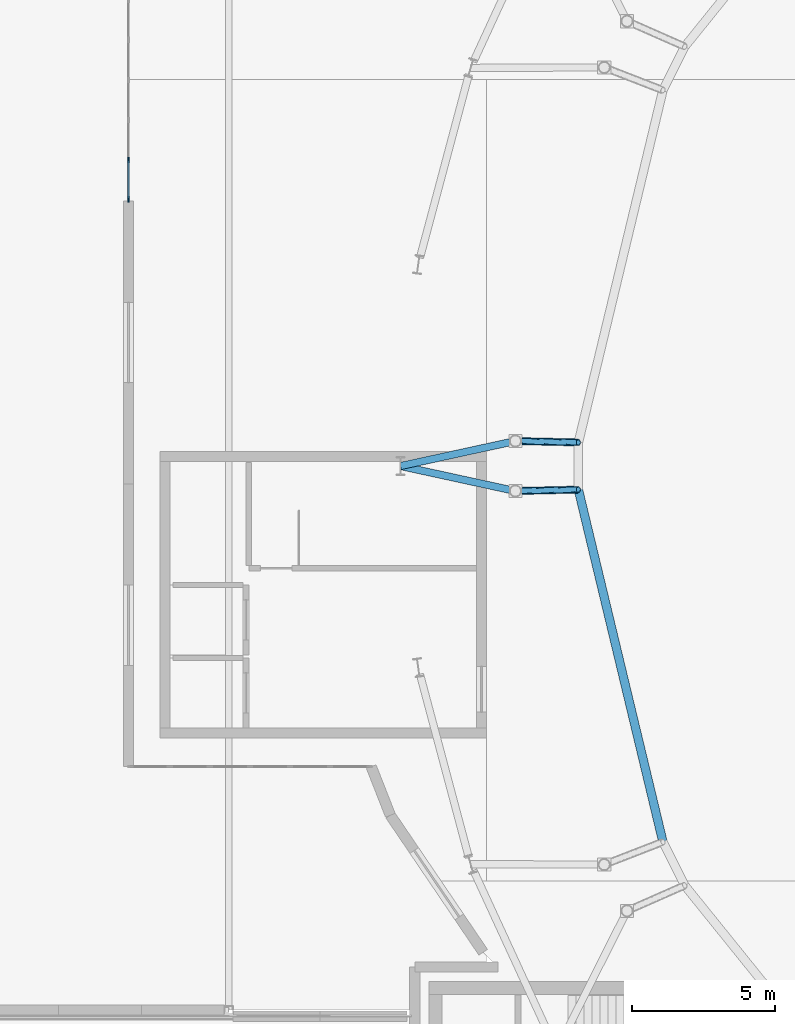
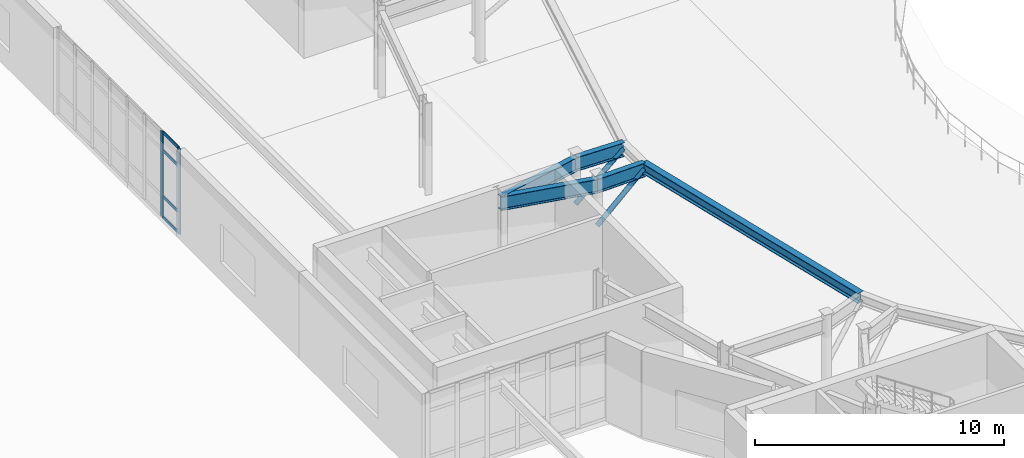
# One storey, part 16 of 48: 8 members, 5 beams, 1 element without a shape of its own.
"""IFC4 building model written with IfcOpenShell, lengths in metres."""

import ifcopenshell
import ifcopenshell.guid

model = None  # the IFC model being written
_history = None  # IfcOwnerHistory: only IFC2X3 demands one
_inside = {}  # id of a spatial element -> (the spatial element, [elements in it])
_under = {}  # id of a project, library or spatial element -> (it, [spatial elements below it])
_declared = {}  # id of a project -> (the project, [libraries it declares])
_typed = {}  # id of a type object -> (the type object, [elements of that type])
_made_of = {}  # id of a material, layer set ... -> (it, [elements and type objects made of it])


def new_model(schema):
    """Start an empty IFC model of exactly this schema.

    Asked for "IFC4X3", IfcOpenShell would pick the latest addendum, in which some entities
    have other attributes; the version numbers below select the first issue.
    IFC2X3 requires an IfcOwnerHistory on every rooted entity: one is made here for all.
    """
    global model, _history
    if schema == "IFC4X3":
        model = ifcopenshell.file(schema_version=(4, 3, 0, 0))
    else:
        model = ifcopenshell.file(schema=schema)
    _inside.clear()
    _under.clear()
    _declared.clear()
    _typed.clear()
    _made_of.clear()
    _history = None
    if model.schema == "IFC2X3":
        org = make("IfcOrganization", Name="unknown")
        user = make(
            "IfcPersonAndOrganization",
            ThePerson=make("IfcPerson", FamilyName="unknown"),
            TheOrganization=org,
        )
        app = make(
            "IfcApplication",
            ApplicationDeveloper=org,
            Version="unknown",
            ApplicationFullName="unknown",
            ApplicationIdentifier="unknown",
        )
        _history = make(
            "IfcOwnerHistory",
            OwningUser=user,
            OwningApplication=app,
            ChangeAction="ADDED",
            CreationDate=0,
        )
    return model


def make(cls, **values):
    """One entity of the class cls with the attributes given. An attribute that is None is left unset."""
    return model.create_entity(
        cls, **{name: value for name, value in values.items() if value is not None}
    )


def rooted(cls, **values):
    """An entity with a GlobalId (a new one), such as an element, a storey or a relation."""
    return make(cls, GlobalId=ifcopenshell.guid.new(), OwnerHistory=_history, **values)


def si_unit(unit_type, name, prefix=None):
    """IfcSIUnit, for example si_unit("LENGTHUNIT", "METRE", prefix="MILLI")."""
    return make("IfcSIUnit", UnitType=unit_type, Prefix=prefix, Name=name)


def assignment(units):
    """IfcUnitAssignment: the units of a project."""
    return None if units is None else make("IfcUnitAssignment", Units=units)


def point(xyz):
    """IfcCartesianPoint."""
    return None if xyz is None else make("IfcCartesianPoint", Coordinates=xyz)


def direction(xyz):
    """IfcDirection."""
    return None if xyz is None else make("IfcDirection", DirectionRatios=xyz)


def frame(location, z_axis=None, x_axis=None):
    """IfcAxis2Placement3D, a coordinate frame: its origin and axes. An axis left out is left unset."""
    return make(
        "IfcAxis2Placement3D",
        Location=point(location),
        Axis=direction(z_axis),
        RefDirection=direction(x_axis),
    )


def frame_2d(location, x_axis=None):
    """IfcAxis2Placement2D, a coordinate frame in the plane: its origin and x axis."""
    return make(
        "IfcAxis2Placement2D", Location=point(location), RefDirection=direction(x_axis)
    )


def origin():
    """The frame at (0, 0, 0) with its axes left unset."""
    return frame((0.0, 0.0, 0.0))


def origin_2d():
    """The frame at (0, 0) in the plane with its x axis left unset."""
    return frame_2d((0.0, 0.0))


def place(relative_to, where):
    """IfcLocalPlacement: puts the frame where relative to a parent placement (None: the world)."""
    return make(
        "IfcLocalPlacement", PlacementRelTo=relative_to, RelativePlacement=where
    )


def context(
    kind, dimensions, precision=None, world=None, true_north=None, identifier=None
):
    """IfcGeometricRepresentationContext, for example the 3D "Model" context."""
    return make(
        "IfcGeometricRepresentationContext",
        ContextIdentifier=identifier,
        ContextType=kind,
        CoordinateSpaceDimension=dimensions,
        Precision=precision,
        WorldCoordinateSystem=world,
        TrueNorth=true_north,
    )


def subcontext(parent, identifier, kind, view, scale=None):
    """IfcGeometricRepresentationSubContext, for example "Body" below "Model"."""
    return make(
        "IfcGeometricRepresentationSubContext",
        ContextIdentifier=identifier,
        ContextType=kind,
        ParentContext=parent,
        TargetScale=scale,
        TargetView=view,
    )


def project(units=None, contexts=None):
    """IfcProject with its units and contexts."""
    return rooted(
        "IfcProject",
        Name="project",
        RepresentationContexts=contexts,
        UnitsInContext=assignment(units),
    )


def spatial(cls, under=None, at=None, **own):
    """A site, building, storey or space (cls), placed at a placement, below another one or the project."""
    s = rooted(cls, ObjectPlacement=at, **own)
    if under is not None:
        _under.setdefault(under.id(), (under, []))[1].append(s)
    return s


def profile(cls, at=None, kind="AREA", **sizes):
    """A parametric profile (cls). Its sizes go by their IFC names, for example OverallWidth=200.0."""
    return make(cls, ProfileType=kind, Position=at, **sizes)


def rectangle(**sizes):
    """IfcRectangleProfileDef."""
    return profile("IfcRectangleProfileDef", **sizes)


def hollow_circle(**sizes):
    """IfcCircleHollowProfileDef."""
    return profile("IfcCircleHollowProfileDef", **sizes)


def i_section(**sizes):
    """IfcIShapeProfileDef."""
    return profile("IfcIShapeProfileDef", **sizes)


def extrude(swept, where, along, depth):
    """IfcExtrudedAreaSolid: the profile swept, set in the frame where, extruded along a direction by depth."""
    return make(
        "IfcExtrudedAreaSolid",
        SweptArea=swept,
        Position=where,
        ExtrudedDirection=direction(along),
        Depth=depth,
    )


def shape(context_of_items, identifier, shape_type, items):
    """IfcShapeRepresentation: the items that make up one representation, for example the "Body"."""
    return make(
        "IfcShapeRepresentation",
        ContextOfItems=context_of_items,
        RepresentationIdentifier=identifier,
        RepresentationType=shape_type,
        Items=items,
    )


def material(Name=None, Category=None):
    """IfcMaterial."""
    return make("IfcMaterial", Name=Name, Category=Category)


def material_profile(
    of_material, cross_section, Name=None, Category=None, Priority=None
):
    """IfcMaterialProfile: a cross section and its material."""
    return make(
        "IfcMaterialProfile",
        Name=Name,
        Material=of_material,
        Profile=cross_section,
        Priority=Priority,
        Category=Category,
    )


def profile_set(profiles, Name=None, composite=None):
    """IfcMaterialProfileSet."""
    return make(
        "IfcMaterialProfileSet",
        Name=Name,
        MaterialProfiles=profiles,
        CompositeProfile=composite,
    )


def made_of(thing, what):
    """Note that an element or type object is made of a material, layer set ...; save() writes the relation."""
    if what is not None:
        _made_of.setdefault(what.id(), (what, []))[1].append(thing)
    return thing


def type_object(cls, material=None, **own):
    """A type object (cls), such as IfcWallType, which elements share."""
    return made_of(rooted(cls, **own), material)


def element(
    cls,
    number,
    at=None,
    inside=None,
    cuts=None,
    type_object=None,
    material=None,
    context=None,
    identifier="Body",
    shape_type=None,
    held_by="IfcProductDefinitionShape",
    body=None,
    shapes=None,
    **own,
):
    """One element of the class cls, such as IfcWall. Its Tag is "e" and its number.

    at: its placement. inside: the storey or other place that contains it. cuts: it is an
    opening in that element (IfcRelVoidsElement). A single representation is given by context,
    identifier, shape_type and body (its items); several are given by shapes. held_by: the class
    of the entity that holds the representations. save() writes the other relations.
    """
    e = rooted(cls, Tag="e%d" % number, ObjectPlacement=at, **own)
    if body is not None:
        shapes = [shape(context, identifier, shape_type, body)]
    if shapes is not None:
        e.Representation = make(held_by, Representations=shapes)
    if inside is not None:
        _inside.setdefault(inside.id(), (inside, []))[1].append(e)
    if cuts is not None:
        rooted(
            "IfcRelVoidsElement", RelatingBuildingElement=cuts, RelatedOpeningElement=e
        )
    if type_object is not None:
        _typed.setdefault(type_object.id(), (type_object, []))[1].append(e)
    return made_of(e, material)


def aggregate(whole, parts):
    """IfcRelAggregates: a whole, such as a stair, and the parts it consists of."""
    return rooted("IfcRelAggregates", RelatingObject=whole, RelatedObjects=parts)


def save(model, path):
    """Write the relations noted so far, then the file.

    IfcRelAggregates (storeys below a building ...), IfcRelContainedInSpatialStructure (elements
    in a storey), IfcRelDefinesByType, IfcRelAssociatesMaterial and IfcRelDeclares: one each for
    every whole, place, type object, material and project.
    """
    for whole, parts in _under.values():
        aggregate(whole, parts)
    for where, things in _inside.values():
        rooted(
            "IfcRelContainedInSpatialStructure",
            RelatedElements=things,
            RelatingStructure=where,
        )
    for kind, things in _typed.values():
        rooted("IfcRelDefinesByType", RelatedObjects=things, RelatingType=kind)
    for what, things in _made_of.values():
        rooted("IfcRelAssociatesMaterial", RelatedObjects=things, RelatingMaterial=what)
    for by, libraries in _declared.values():
        rooted("IfcRelDeclares", RelatingContext=by, RelatedDefinitions=libraries)
    model.write(path)


model = new_model("IFC4")

# Units and contexts
model_context = context("Model", 3, precision=1e-05, world=origin(), true_north=direction((0.0, 1.0)))
body_context = subcontext(model_context, "Body", "Model", "MODEL_VIEW")
ifc_project = project(units=[si_unit("LENGTHUNIT", "METRE"), si_unit("AREAUNIT", "SQUARE_METRE"), si_unit("VOLUMEUNIT", "CUBIC_METRE"), si_unit("PLANEANGLEUNIT", "RADIAN"), si_unit("MASSUNIT", "GRAM", prefix="KILO")], contexts=[model_context])

# Site, building, storey
site_placement = place(None, origin())
site = spatial("IfcSite", under=ifc_project, at=site_placement, CompositionType="ELEMENT")
building_placement = place(site_placement, origin())
building = spatial("IfcBuilding", under=site, at=building_placement, Name="Glasvene Arena", CompositionType="ELEMENT")
storey_placement = place(building_placement, frame((0.0, 0.0, 19.5)))
storey = spatial("IfcBuildingStorey", under=building, at=storey_placement, Name="L04", CompositionType="ELEMENT", Elevation=19.5)

# Beams
ifc_material_1 = material(Name="Steel S355J2", Category="steel")
ifc_material_profile_1 = material_profile(ifc_material_1, i_section(OverallWidth=0.300048828125, OverallDepth=0.5, WebThickness=0.014404296875, FlangeThickness=0.028076171875, FilletRadius=0.027099609375, at=origin_2d()), Name="HEB 500")
ifc_profile_set_1 = profile_set([ifc_material_profile_1], Name="Steel S355J2")
beam_type_1 = type_object("IfcBeamType", Name="BM-EAVE-CANT", PredefinedType="BEAM", material=ifc_profile_set_1)
beam_1_placement = place(storey_placement, frame((48.211181640625, 72.176513671875, 4.0), z_axis=(0.233394845618, -0.972382047366, 0.0), x_axis=(0.972382047366, 0.233394845618, 0.0)))
element("IfcBeam", 1, at=beam_1_placement, inside=storey, type_object=beam_type_1, Name="Gondola inner ring girder 17", PredefinedType="BEAM", context=body_context, shape_type="SweptSolid", body=[
    extrude(i_section(OverallWidth=0.300048828125, OverallDepth=0.5, WebThickness=0.014404296875, FlangeThickness=0.028076171875, FilletRadius=0.027099609375, at=origin_2d()), origin(), (0.0, 0.0, 1.0), 12.65283203125),
])
ifc_material_profile_2 = material_profile(ifc_material_1, i_section(OverallWidth=0.253662109375, OverallDepth=0.68359375, WebThickness=0.012451171875, FlangeThickness=0.01904296875, FilletRadius=0.01513671875, at=origin_2d()), Name="UKB 686x254x140")
ifc_profile_set_2 = profile_set([ifc_material_profile_2], Name="Steel S355J2")
beam_type_2 = type_object("IfcBeamType", Name="BM-GIRD-686", PredefinedType="BEAM", material=ifc_profile_set_2)
beam_2_placement = place(storey_placement, frame((46.01171875, 73.87353515625, 3.908203125), z_axis=(-0.977104393575, -0.212760438182, 0.0), x_axis=(0.212760438182, -0.977104393575, 0.0)))
element("IfcBeam", 2, at=beam_2_placement, inside=storey, type_object=beam_type_2, Name="Gondola outer floor beam 16", PredefinedType="BEAM", context=body_context, shape_type="SweptSolid", body=[
    extrude(i_section(OverallWidth=0.253662109375, OverallDepth=0.68359375, WebThickness=0.012451171875, FlangeThickness=0.01904296875, FilletRadius=0.01513671875, at=origin_2d()), origin(), (0.0, 0.0, 1.0), 4.105712890625),
])
beam_3_placement = place(storey_placement, frame((48.211181640625, 73.823486328125, 3.908203125), z_axis=(-0.999741204967, 0.022749133868, 0.0), x_axis=(-0.022749133868, -0.999741204967, 0.0)))
element("IfcBeam", 3, at=beam_3_placement, inside=storey, type_object=beam_type_2, Name="Gondola inner bracket beam 16", PredefinedType="BEAM", context=body_context, shape_type="SweptSolid", body=[
    extrude(i_section(OverallWidth=0.253662109375, OverallDepth=0.68359375, WebThickness=0.012451171875, FlangeThickness=0.01904296875, FilletRadius=0.01513671875, at=origin_2d()), origin(), (0.0, 0.0, 1.0), 2.199951171875),
])
beam_4_placement = place(storey_placement, frame((46.01171875, 72.12646484375, 3.908203125), z_axis=(-0.977104393575, 0.212760438182, 0.0), x_axis=(-0.212760438182, -0.977104393575, 0.0)))
element("IfcBeam", 4, at=beam_4_placement, inside=storey, type_object=beam_type_2, Name="Gondola outer floor beam 17", PredefinedType="BEAM", context=body_context, shape_type="SweptSolid", body=[
    extrude(i_section(OverallWidth=0.253662109375, OverallDepth=0.68359375, WebThickness=0.012451171875, FlangeThickness=0.01904296875, FilletRadius=0.01513671875, at=origin_2d()), origin(), (0.0, 0.0, 1.0), 4.105712890625),
])
beam_5_placement = place(storey_placement, frame((48.211181640625, 72.176513671875, 3.908203125), z_axis=(-0.999741204967, -0.022749133868, 0.0), x_axis=(0.022749133868, -0.999741204967, 0.0)))
element("IfcBeam", 5, at=beam_5_placement, inside=storey, type_object=beam_type_2, Name="Gondola inner bracket beam 17", PredefinedType="BEAM", context=body_context, shape_type="SweptSolid", body=[
    extrude(i_section(OverallWidth=0.253662109375, OverallDepth=0.68359375, WebThickness=0.012451171875, FlangeThickness=0.01904296875, FilletRadius=0.01513671875, at=origin_2d()), origin(), (0.0, 0.0, 1.0), 2.199951171875),
])

# Curtain wall, members
ifc_material_2 = material(Name="Low-emissivity laminated double glazing", Category="glass")
curtain_wall_type = type_object("IfcCurtainWallType", Name="CW-FAC-L04-980x419", PredefinedType="USERDEFINED", material=ifc_material_2)
curtain_wall_placement = place(storey_placement, frame((32.5, 82.2900390625, 0.0)))
curtain_wall = element("IfcCurtainWall", 6, at=curtain_wall_placement, inside=storey, type_object=curtain_wall_type, Name="Unitised curtain wall CW-F-L04-180-325-872-13", ObjectType="CURTAIN WALL", PredefinedType="USERDEFINED")
ifc_material_3 = material(Name="Anodised architectural aluminium", Category="aluminium")
ifc_material_profile_3 = material_profile(ifc_material_3, rectangle(XDim=0.050048828125, YDim=0.199951171875, at=origin_2d()), Name="ALU MULLION 50x200")
ifc_profile_set_3 = profile_set([ifc_material_profile_3], Name="Anodised architectural aluminium")
member_type_1 = type_object("IfcMemberType", Name="CW-MUL-180", PredefinedType="MULLION", material=ifc_profile_set_3)
member_1_placement = place(storey_placement, frame((32.5, 82.31494140625, 0.06005859375), z_axis=(0.0, 0.0, 1.0), x_axis=(-1.0, 0.0, 0.0)))
member_1 = element("IfcMember", 7, at=member_1_placement, type_object=member_type_1, Name="CW-047 mullion 1", PredefinedType="MULLION", context=body_context, shape_type="SweptSolid", body=[
    extrude(rectangle(XDim=0.050048828125, YDim=0.199951171875, at=origin_2d()), origin(), (0.0, 0.0, 1.0), 4.18994140625),
])
member_2_placement = place(storey_placement, frame((32.5, 83.689208984375, 0.06005859375), z_axis=(0.0, 0.0, 1.0), x_axis=(-1.0, 0.0, 0.0)))
member_2 = element("IfcMember", 8, at=member_2_placement, type_object=member_type_1, Name="CW-047 mullion 2", PredefinedType="MULLION", context=body_context, shape_type="SweptSolid", body=[
    extrude(rectangle(XDim=0.050048828125, YDim=0.199951171875, at=origin_2d()), origin(), (0.0, 0.0, 1.0), 4.18994140625),
])
ifc_material_profile_4 = material_profile(ifc_material_3, rectangle(XDim=0.050048828125, YDim=0.14990234375, at=origin_2d()), Name="ALU TRANSOM 50x150")
ifc_profile_set_4 = profile_set([ifc_material_profile_4], Name="Anodised architectural aluminium")
member_type_2 = type_object("IfcMemberType", Name="CW-TRN-150", PredefinedType="USERDEFINED", material=ifc_profile_set_4)
member_3_placement = place(storey_placement, frame((32.5, 82.340087890625, 0.0849609375), z_axis=(0.0, 1.0, 0.0), x_axis=(-1.0, 0.0, 0.0)))
member_3 = element("IfcMember", 9, at=member_3_placement, type_object=member_type_2, Name="CW-047 transom 1.1", ObjectType="TRANSOM", PredefinedType="USERDEFINED", context=body_context, shape_type="SweptSolid", body=[
    extrude(rectangle(XDim=0.050048828125, YDim=0.14990234375, at=origin_2d()), origin(), (0.0, 0.0, 1.0), 1.32421875),
])
member_4_placement = place(storey_placement, frame((32.5, 82.340087890625, 1.10009765625), z_axis=(0.0, 1.0, 0.0), x_axis=(-1.0, 0.0, 0.0)))
member_4 = element("IfcMember", 10, at=member_4_placement, type_object=member_type_2, Name="CW-047 transom 1.2", ObjectType="TRANSOM", PredefinedType="USERDEFINED", context=body_context, shape_type="SweptSolid", body=[
    extrude(rectangle(XDim=0.050048828125, YDim=0.14990234375, at=origin_2d()), origin(), (0.0, 0.0, 1.0), 1.32421875),
])
member_5_placement = place(storey_placement, frame((32.5, 82.340087890625, 3.35009765625), z_axis=(0.0, 1.0, 0.0), x_axis=(-1.0, 0.0, 0.0)))
member_5 = element("IfcMember", 11, at=member_5_placement, type_object=member_type_2, Name="CW-047 transom 1.3", ObjectType="TRANSOM", PredefinedType="USERDEFINED", context=body_context, shape_type="SweptSolid", body=[
    extrude(rectangle(XDim=0.050048828125, YDim=0.14990234375, at=origin_2d()), origin(), (0.0, 0.0, 1.0), 1.32421875),
])
member_6_placement = place(storey_placement, frame((32.5, 82.340087890625, 4.22509765625), z_axis=(0.0, 1.0, 0.0), x_axis=(-1.0, 0.0, 0.0)))
member_6 = element("IfcMember", 12, at=member_6_placement, type_object=member_type_2, Name="CW-047 transom 1.4", ObjectType="TRANSOM", PredefinedType="USERDEFINED", context=body_context, shape_type="SweptSolid", body=[
    extrude(rectangle(XDim=0.050048828125, YDim=0.14990234375, at=origin_2d()), origin(), (0.0, 0.0, 1.0), 1.32421875),
])
aggregate(curtain_wall, [member_1, member_2, member_3, member_4, member_5, member_6])

# Members
ifc_material_profile_5 = material_profile(ifc_material_1, hollow_circle(Radius=0.109619140625, WallThickness=0.010009765625, at=origin_2d()), Name="CHS 219.1x10.0")
ifc_profile_set_5 = profile_set([ifc_material_profile_5], Name="Steel S355J2")
member_type_3 = type_object("IfcMemberType", Name="MB-WEB-CHS219", PredefinedType="BRACE", material=ifc_profile_set_5)
for number, where, z_axis, x_axis, name in (
    (13, (46.01171875, 73.87353515625, 1.89990234375), (0.73975348703, -0.01683310743, 0.672667395465), (0.022749133868, 0.999741204967, 0.0), "Gondola inclined knee strut 16"),
    (14, (46.01171875, 72.12646484375, 1.89990234375), (0.73975348703, 0.01683310743, 0.672667395465), (-0.022749133868, 0.999741204967, 0.0), "Gondola inclined knee strut 17"),
):
    element("IfcMember", number, at=place(storey_placement, frame(where, z_axis=z_axis, x_axis=x_axis)), inside=storey, type_object=member_type_3, Name=name, PredefinedType="BRACE", context=body_context, shape_type="SweptSolid", body=[
        extrude(hollow_circle(Radius=0.109619140625, WallThickness=0.010009765625, at=origin_2d()), origin(), (0.0, 0.0, 1.0), 2.97314453125),
    ])

save(model, "model.ifc")
